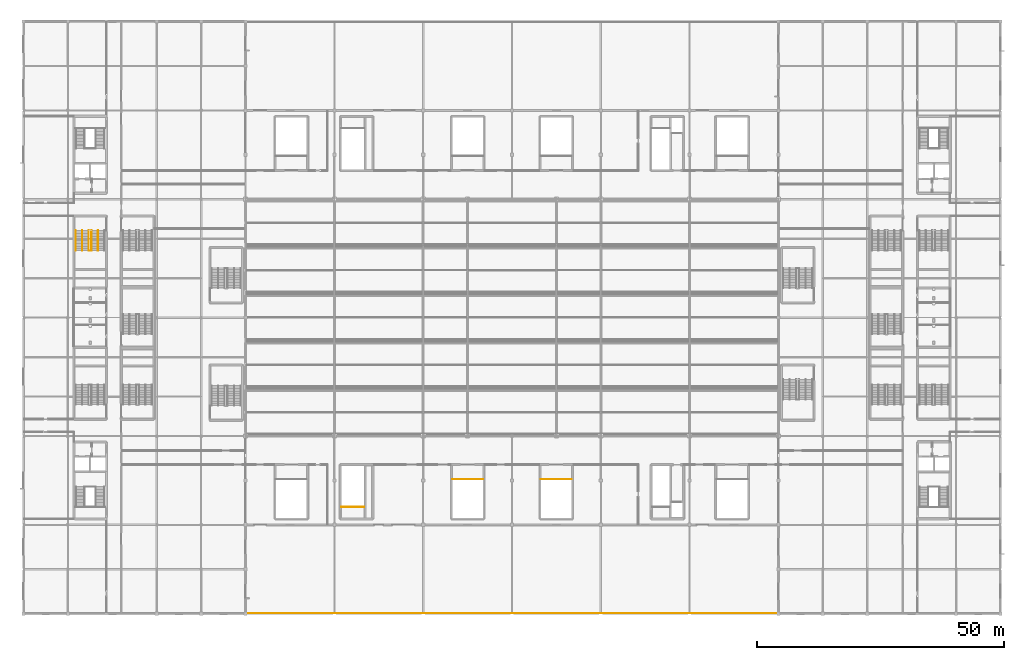
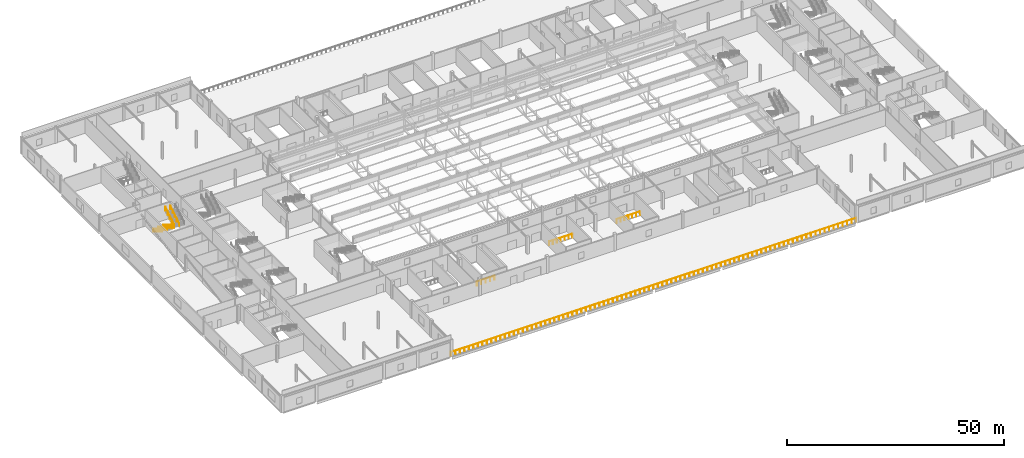
# One storey, part 128 of 136: 8 railings.
"""IFC4 building model written with IfcOpenShell, lengths in metres."""

from ifc_helpers import new_model, si_unit, direction, frame, origin, origin_2d, place, context, subcontext, project, spatial, circle, extrude, material, type_object, element, save


model = new_model("IFC4")

# Units and contexts
model_context = context("Model", 3, precision=1e-05, world=origin(), true_north=direction((0.0, 1.0)))
body_context = subcontext(model_context, "Body", "Model", "MODEL_VIEW")
ifc_project = project(units=[si_unit("LENGTHUNIT", "METRE"), si_unit("AREAUNIT", "SQUARE_METRE"), si_unit("VOLUMEUNIT", "CUBIC_METRE"), si_unit("PLANEANGLEUNIT", "RADIAN"), si_unit("MASSUNIT", "GRAM", prefix="KILO")], contexts=[model_context])

# Site, building, storey
site_placement = place(None, origin())
site = spatial("IfcSite", under=ifc_project, at=site_placement, CompositionType="ELEMENT")
building_placement = place(site_placement, origin())
building = spatial("IfcBuilding", under=site, at=building_placement, Name="Kisiwana Market Hall", CompositionType="ELEMENT")
storey_placement = place(building_placement, frame((0.0, 0.0, 16.800048828125)))
storey = spatial("IfcBuildingStorey", under=building, at=storey_placement, Name="L03", CompositionType="ELEMENT", Elevation=16.800048828125)

# Railings
ifc_material_1 = material(Name="Steel S275", Category="steel")
railing_type_1 = type_object("IfcRailingType", Name="RL-GUARD-1100", PredefinedType="GUARDRAIL", material=ifc_material_1)
railing_1_placement = place(storey_placement, frame((45.050048828125, 0.080078125, 0.0)))
element("IfcRailing", 1, at=railing_1_placement, inside=storey, type_object=railing_type_1, Name="L03 South Podium Roof Garden Guardrail 1100 RL-1696", PredefinedType="GUARDRAIL", context=body_context, shape_type="SweptSolid", body=[
    extrude(circle(Radius=0.02392578125, at=origin_2d()), frame((0.0, 0.0, 1.076171875), z_axis=(1.0, 0.0, 0.0), x_axis=(0.0, 1.0, 0.0)), (0.0, 0.0, 1.0), 107.89990234375),
    extrude(circle(Radius=0.02099609375, at=origin_2d()), origin(), (0.0, 0.0, 1.0), 1.052001953125),
    extrude(circle(Radius=0.02099609375, at=origin_2d()), frame((1.198974609375, 0.0, 0.0)), (0.0, 0.0, 1.0), 1.052001953125),
    extrude(circle(Radius=0.02099609375, at=origin_2d()), frame((2.397705078125, 0.0, 0.0)), (0.0, 0.0, 1.0), 1.052001953125),
    extrude(circle(Radius=0.02099609375, at=origin_2d()), frame((3.5966796875, 0.0, 0.0)), (0.0, 0.0, 1.0), 1.052001953125),
    extrude(circle(Radius=0.02099609375, at=origin_2d()), frame((4.795654296875, 0.0, 0.0)), (0.0, 0.0, 1.0), 1.052001953125),
    extrude(circle(Radius=0.02099609375, at=origin_2d()), frame((5.994384765625, 0.0, 0.0)), (0.0, 0.0, 1.0), 1.052001953125),
    extrude(circle(Radius=0.02099609375, at=origin_2d()), frame((7.193359375, 0.0, 0.0)), (0.0, 0.0, 1.0), 1.052001953125),
    extrude(circle(Radius=0.02099609375, at=origin_2d()), frame((8.392333984375, 0.0, 0.0)), (0.0, 0.0, 1.0), 1.052001953125),
    extrude(circle(Radius=0.02099609375, at=origin_2d()), frame((9.591064453125, 0.0, 0.0)), (0.0, 0.0, 1.0), 1.052001953125),
    extrude(circle(Radius=0.02099609375, at=origin_2d()), frame((10.7900390625, 0.0, 0.0)), (0.0, 0.0, 1.0), 1.052001953125),
    extrude(circle(Radius=0.02099609375, at=origin_2d()), frame((11.98876953125, 0.0, 0.0)), (0.0, 0.0, 1.0), 1.052001953125),
    extrude(circle(Radius=0.02099609375, at=origin_2d()), frame((13.187744140625, 0.0, 0.0)), (0.0, 0.0, 1.0), 1.052001953125),
    extrude(circle(Radius=0.02099609375, at=origin_2d()), frame((14.38671875, 0.0, 0.0)), (0.0, 0.0, 1.0), 1.052001953125),
    extrude(circle(Radius=0.02099609375, at=origin_2d()), frame((15.58544921875, 0.0, 0.0)), (0.0, 0.0, 1.0), 1.052001953125),
    extrude(circle(Radius=0.02099609375, at=origin_2d()), frame((16.784423828125, 0.0, 0.0)), (0.0, 0.0, 1.0), 1.052001953125),
    extrude(circle(Radius=0.02099609375, at=origin_2d()), frame((17.9833984375, 0.0, 0.0)), (0.0, 0.0, 1.0), 1.052001953125),
    extrude(circle(Radius=0.02099609375, at=origin_2d()), frame((19.18212890625, 0.0, 0.0)), (0.0, 0.0, 1.0), 1.052001953125),
    extrude(circle(Radius=0.02099609375, at=origin_2d()), frame((20.381103515625, 0.0, 0.0)), (0.0, 0.0, 1.0), 1.052001953125),
    extrude(circle(Radius=0.02099609375, at=origin_2d()), frame((21.580078125, 0.0, 0.0)), (0.0, 0.0, 1.0), 1.052001953125),
    extrude(circle(Radius=0.02099609375, at=origin_2d()), frame((22.77880859375, 0.0, 0.0)), (0.0, 0.0, 1.0), 1.052001953125),
    extrude(circle(Radius=0.02099609375, at=origin_2d()), frame((23.977783203125, 0.0, 0.0)), (0.0, 0.0, 1.0), 1.052001953125),
    extrude(circle(Radius=0.02099609375, at=origin_2d()), frame((25.1767578125, 0.0, 0.0)), (0.0, 0.0, 1.0), 1.052001953125),
    extrude(circle(Radius=0.02099609375, at=origin_2d()), frame((26.37548828125, 0.0, 0.0)), (0.0, 0.0, 1.0), 1.052001953125),
    extrude(circle(Radius=0.02099609375, at=origin_2d()), frame((27.574462890625, 0.0, 0.0)), (0.0, 0.0, 1.0), 1.052001953125),
    extrude(circle(Radius=0.02099609375, at=origin_2d()), frame((28.773193359375, 0.0, 0.0)), (0.0, 0.0, 1.0), 1.052001953125),
    extrude(circle(Radius=0.02099609375, at=origin_2d()), frame((29.97216796875, 0.0, 0.0)), (0.0, 0.0, 1.0), 1.052001953125),
    extrude(circle(Radius=0.02099609375, at=origin_2d()), frame((31.171142578125, 0.0, 0.0)), (0.0, 0.0, 1.0), 1.052001953125),
    extrude(circle(Radius=0.02099609375, at=origin_2d()), frame((32.369873046875, 0.0, 0.0)), (0.0, 0.0, 1.0), 1.052001953125),
    extrude(circle(Radius=0.02099609375, at=origin_2d()), frame((33.56884765625, 0.0, 0.0)), (0.0, 0.0, 1.0), 1.052001953125),
    extrude(circle(Radius=0.02099609375, at=origin_2d()), frame((34.767822265625, 0.0, 0.0)), (0.0, 0.0, 1.0), 1.052001953125),
    extrude(circle(Radius=0.02099609375, at=origin_2d()), frame((35.966552734375, 0.0, 0.0)), (0.0, 0.0, 1.0), 1.052001953125),
    extrude(circle(Radius=0.02099609375, at=origin_2d()), frame((37.16552734375, 0.0, 0.0)), (0.0, 0.0, 1.0), 1.052001953125),
    extrude(circle(Radius=0.02099609375, at=origin_2d()), frame((38.364501953125, 0.0, 0.0)), (0.0, 0.0, 1.0), 1.052001953125),
    extrude(circle(Radius=0.02099609375, at=origin_2d()), frame((39.563232421875, 0.0, 0.0)), (0.0, 0.0, 1.0), 1.052001953125),
    extrude(circle(Radius=0.02099609375, at=origin_2d()), frame((40.76220703125, 0.0, 0.0)), (0.0, 0.0, 1.0), 1.052001953125),
    extrude(circle(Radius=0.02099609375, at=origin_2d()), frame((41.961181640625, 0.0, 0.0)), (0.0, 0.0, 1.0), 1.052001953125),
    extrude(circle(Radius=0.02099609375, at=origin_2d()), frame((43.159912109375, 0.0, 0.0)), (0.0, 0.0, 1.0), 1.052001953125),
    extrude(circle(Radius=0.02099609375, at=origin_2d()), frame((44.35888671875, 0.0, 0.0)), (0.0, 0.0, 1.0), 1.052001953125),
    extrude(circle(Radius=0.02099609375, at=origin_2d()), frame((45.5576171875, 0.0, 0.0)), (0.0, 0.0, 1.0), 1.052001953125),
    extrude(circle(Radius=0.02099609375, at=origin_2d()), frame((46.756591796875, 0.0, 0.0)), (0.0, 0.0, 1.0), 1.052001953125),
    extrude(circle(Radius=0.02099609375, at=origin_2d()), frame((47.95556640625, 0.0, 0.0)), (0.0, 0.0, 1.0), 1.052001953125),
    extrude(circle(Radius=0.02099609375, at=origin_2d()), frame((49.154296875, 0.0, 0.0)), (0.0, 0.0, 1.0), 1.052001953125),
    extrude(circle(Radius=0.02099609375, at=origin_2d()), frame((50.353271484375, 0.0, 0.0)), (0.0, 0.0, 1.0), 1.052001953125),
    extrude(circle(Radius=0.02099609375, at=origin_2d()), frame((51.55224609375, 0.0, 0.0)), (0.0, 0.0, 1.0), 1.052001953125),
    extrude(circle(Radius=0.02099609375, at=origin_2d()), frame((52.7509765625, 0.0, 0.0)), (0.0, 0.0, 1.0), 1.052001953125),
    extrude(circle(Radius=0.02099609375, at=origin_2d()), frame((53.949951171875, 0.0, 0.0)), (0.0, 0.0, 1.0), 1.052001953125),
    extrude(circle(Radius=0.02099609375, at=origin_2d()), frame((55.14892578125, 0.0, 0.0)), (0.0, 0.0, 1.0), 1.052001953125),
    extrude(circle(Radius=0.02099609375, at=origin_2d()), frame((56.34765625, 0.0, 0.0)), (0.0, 0.0, 1.0), 1.052001953125),
    extrude(circle(Radius=0.02099609375, at=origin_2d()), frame((57.546630859375, 0.0, 0.0)), (0.0, 0.0, 1.0), 1.052001953125),
    extrude(circle(Radius=0.02099609375, at=origin_2d()), frame((58.74560546875, 0.0, 0.0)), (0.0, 0.0, 1.0), 1.052001953125),
    extrude(circle(Radius=0.02099609375, at=origin_2d()), frame((59.9443359375, 0.0, 0.0)), (0.0, 0.0, 1.0), 1.052001953125),
    extrude(circle(Radius=0.02099609375, at=origin_2d()), frame((61.143310546875, 0.0, 0.0)), (0.0, 0.0, 1.0), 1.052001953125),
    extrude(circle(Radius=0.02099609375, at=origin_2d()), frame((62.34228515625, 0.0, 0.0)), (0.0, 0.0, 1.0), 1.052001953125),
    extrude(circle(Radius=0.02099609375, at=origin_2d()), frame((63.541015625, 0.0, 0.0)), (0.0, 0.0, 1.0), 1.052001953125),
    extrude(circle(Radius=0.02099609375, at=origin_2d()), frame((64.739990234375, 0.0, 0.0)), (0.0, 0.0, 1.0), 1.052001953125),
    extrude(circle(Radius=0.02099609375, at=origin_2d()), frame((65.938720703125, 0.0, 0.0)), (0.0, 0.0, 1.0), 1.052001953125),
    extrude(circle(Radius=0.02099609375, at=origin_2d()), frame((67.1376953125, 0.0, 0.0)), (0.0, 0.0, 1.0), 1.052001953125),
    extrude(circle(Radius=0.02099609375, at=origin_2d()), frame((68.336669921875, 0.0, 0.0)), (0.0, 0.0, 1.0), 1.052001953125),
    extrude(circle(Radius=0.02099609375, at=origin_2d()), frame((69.535400390625, 0.0, 0.0)), (0.0, 0.0, 1.0), 1.052001953125),
    extrude(circle(Radius=0.02099609375, at=origin_2d()), frame((70.734375, 0.0, 0.0)), (0.0, 0.0, 1.0), 1.052001953125),
    extrude(circle(Radius=0.02099609375, at=origin_2d()), frame((71.933349609375, 0.0, 0.0)), (0.0, 0.0, 1.0), 1.052001953125),
    extrude(circle(Radius=0.02099609375, at=origin_2d()), frame((73.132080078125, 0.0, 0.0)), (0.0, 0.0, 1.0), 1.052001953125),
    extrude(circle(Radius=0.02099609375, at=origin_2d()), frame((74.3310546875, 0.0, 0.0)), (0.0, 0.0, 1.0), 1.052001953125),
    extrude(circle(Radius=0.02099609375, at=origin_2d()), frame((75.530029296875, 0.0, 0.0)), (0.0, 0.0, 1.0), 1.052001953125),
    extrude(circle(Radius=0.02099609375, at=origin_2d()), frame((76.728759765625, 0.0, 0.0)), (0.0, 0.0, 1.0), 1.052001953125),
    extrude(circle(Radius=0.02099609375, at=origin_2d()), frame((77.927734375, 0.0, 0.0)), (0.0, 0.0, 1.0), 1.052001953125),
    extrude(circle(Radius=0.02099609375, at=origin_2d()), frame((79.126708984375, 0.0, 0.0)), (0.0, 0.0, 1.0), 1.052001953125),
    extrude(circle(Radius=0.02099609375, at=origin_2d()), frame((80.325439453125, 0.0, 0.0)), (0.0, 0.0, 1.0), 1.052001953125),
    extrude(circle(Radius=0.02099609375, at=origin_2d()), frame((81.5244140625, 0.0, 0.0)), (0.0, 0.0, 1.0), 1.052001953125),
    extrude(circle(Radius=0.02099609375, at=origin_2d()), frame((82.72314453125, 0.0, 0.0)), (0.0, 0.0, 1.0), 1.052001953125),
    extrude(circle(Radius=0.02099609375, at=origin_2d()), frame((83.922119140625, 0.0, 0.0)), (0.0, 0.0, 1.0), 1.052001953125),
    extrude(circle(Radius=0.02099609375, at=origin_2d()), frame((85.12109375, 0.0, 0.0)), (0.0, 0.0, 1.0), 1.052001953125),
    extrude(circle(Radius=0.02099609375, at=origin_2d()), frame((86.31982421875, 0.0, 0.0)), (0.0, 0.0, 1.0), 1.052001953125),
    extrude(circle(Radius=0.02099609375, at=origin_2d()), frame((87.518798828125, 0.0, 0.0)), (0.0, 0.0, 1.0), 1.052001953125),
    extrude(circle(Radius=0.02099609375, at=origin_2d()), frame((88.7177734375, 0.0, 0.0)), (0.0, 0.0, 1.0), 1.052001953125),
    extrude(circle(Radius=0.02099609375, at=origin_2d()), frame((89.91650390625, 0.0, 0.0)), (0.0, 0.0, 1.0), 1.052001953125),
    extrude(circle(Radius=0.02099609375, at=origin_2d()), frame((91.115478515625, 0.0, 0.0)), (0.0, 0.0, 1.0), 1.052001953125),
    extrude(circle(Radius=0.02099609375, at=origin_2d()), frame((92.314453125, 0.0, 0.0)), (0.0, 0.0, 1.0), 1.052001953125),
    extrude(circle(Radius=0.02099609375, at=origin_2d()), frame((93.51318359375, 0.0, 0.0)), (0.0, 0.0, 1.0), 1.052001953125),
    extrude(circle(Radius=0.02099609375, at=origin_2d()), frame((94.712158203125, 0.0, 0.0)), (0.0, 0.0, 1.0), 1.052001953125),
    extrude(circle(Radius=0.02099609375, at=origin_2d()), frame((95.9111328125, 0.0, 0.0)), (0.0, 0.0, 1.0), 1.052001953125),
    extrude(circle(Radius=0.02099609375, at=origin_2d()), frame((97.10986328125, 0.0, 0.0)), (0.0, 0.0, 1.0), 1.052001953125),
    extrude(circle(Radius=0.02099609375, at=origin_2d()), frame((98.308837890625, 0.0, 0.0)), (0.0, 0.0, 1.0), 1.052001953125),
    extrude(circle(Radius=0.02099609375, at=origin_2d()), frame((99.507568359375, 0.0, 0.0)), (0.0, 0.0, 1.0), 1.052001953125),
    extrude(circle(Radius=0.02099609375, at=origin_2d()), frame((100.70654296875, 0.0, 0.0)), (0.0, 0.0, 1.0), 1.052001953125),
    extrude(circle(Radius=0.02099609375, at=origin_2d()), frame((101.905517578125, 0.0, 0.0)), (0.0, 0.0, 1.0), 1.052001953125),
    extrude(circle(Radius=0.02099609375, at=origin_2d()), frame((103.104248046875, 0.0, 0.0)), (0.0, 0.0, 1.0), 1.052001953125),
    extrude(circle(Radius=0.02099609375, at=origin_2d()), frame((104.30322265625, 0.0, 0.0)), (0.0, 0.0, 1.0), 1.052001953125),
    extrude(circle(Radius=0.02099609375, at=origin_2d()), frame((105.502197265625, 0.0, 0.0)), (0.0, 0.0, 1.0), 1.052001953125),
    extrude(circle(Radius=0.02099609375, at=origin_2d()), frame((106.700927734375, 0.0, 0.0)), (0.0, 0.0, 1.0), 1.052001953125),
    extrude(circle(Radius=0.02099609375, at=origin_2d()), frame((107.89990234375, 0.0, 0.0)), (0.0, 0.0, 1.0), 1.052001953125),
])
railing_2_placement = place(storey_placement, frame((64.39990234375, 21.610107421875, 0.0)))
element("IfcRailing", 2, at=railing_2_placement, inside=storey, type_object=railing_type_1, Name="Core S1 top stairwell guardrail (L03) (RL-655)", PredefinedType="GUARDRAIL", context=body_context, shape_type="SweptSolid", body=[
    extrude(circle(Radius=0.02392578125, at=origin_2d()), frame((0.0, 0.0, 1.076171875), z_axis=(1.0, 0.0, 0.0), x_axis=(0.0, 1.0, 0.0)), (0.0, 0.0, 1.0), 4.66015625),
    extrude(circle(Radius=0.02099609375, at=origin_2d()), origin(), (0.0, 0.0, 1.0), 1.052001953125),
    extrude(circle(Radius=0.02099609375, at=origin_2d()), frame((1.1650390625, 0.0, 0.0)), (0.0, 0.0, 1.0), 1.052001953125),
    extrude(circle(Radius=0.02099609375, at=origin_2d()), frame((2.330078125, 0.0, 0.0)), (0.0, 0.0, 1.0), 1.052001953125),
    extrude(circle(Radius=0.02099609375, at=origin_2d()), frame((3.4951171875, 0.0, 0.0)), (0.0, 0.0, 1.0), 1.052001953125),
    extrude(circle(Radius=0.02099609375, at=origin_2d()), frame((4.66015625, 0.0, 0.0)), (0.0, 0.0, 1.0), 1.052001953125),
])
railing_3_placement = place(storey_placement, frame((13.219970703125, 77.639892578125, 0.0)))
element("IfcRailing", 3, at=railing_3_placement, inside=storey, type_object=railing_type_1, Name="Stair ST-W4-L03 inner-well guardrail (RL-665)", PredefinedType="GUARDRAIL", context=body_context, shape_type="SweptSolid", body=[
    extrude(circle(Radius=0.02392578125, at=origin_2d()), frame((0.0, 0.0, 1.076171875), z_axis=(0.0, -0.860840976868, 0.508874063541), x_axis=(1.0, 0.0, 0.0)), (0.0, 0.0, 1.0), 4.716064453125),
    extrude(circle(Radius=0.02392578125, at=origin_2d()), frame((0.0, -4.059814453125, 3.47607421875), z_axis=(1.0, 0.0, 0.0), x_axis=(0.0, 1.0, 0.0)), (0.0, 0.0, 1.0), 0.56005859375),
    extrude(circle(Radius=0.02392578125, at=origin_2d()), frame((0.56005859375, -4.059814453125, 3.47607421875), z_axis=(0.0, 0.860818299379, 0.50891242415), x_axis=(-1.0, 0.0, 0.0)), (0.0, 0.0, 1.0), 4.71630859375),
    extrude(circle(Radius=0.02099609375, at=origin_2d()), origin(), (0.0, 0.0, 1.0), 1.052001953125),
    extrude(circle(Radius=0.02099609375, at=origin_2d()), frame((0.0, -1.014892578125, 0.60009765625)), (0.0, 0.0, 1.0), 1.052001953125),
    extrude(circle(Radius=0.02099609375, at=origin_2d()), frame((0.0, -2.02978515625, 1.199951171875)), (0.0, 0.0, 1.0), 1.052001953125),
    extrude(circle(Radius=0.02099609375, at=origin_2d()), frame((0.0, -3.044921875, 1.7998046875)), (0.0, 0.0, 1.0), 1.052001953125),
    extrude(circle(Radius=0.02099609375, at=origin_2d()), frame((0.0, -4.059814453125, 2.39990234375)), (0.0, 0.0, 1.0), 1.052001953125),
    extrude(circle(Radius=0.02099609375, at=origin_2d()), frame((0.56005859375, -4.059814453125, 2.39990234375)), (0.0, 0.0, 1.0), 1.052001953125),
    extrude(circle(Radius=0.02099609375, at=origin_2d()), frame((0.56005859375, -3.044921875, 3.0)), (0.0, 0.0, 1.0), 1.052001953125),
    extrude(circle(Radius=0.02099609375, at=origin_2d()), frame((0.56005859375, -2.02978515625, 3.60009765625)), (0.0, 0.0, 1.0), 1.052001953125),
    extrude(circle(Radius=0.02099609375, at=origin_2d()), frame((0.56005859375, -1.014892578125, 4.199951171875)), (0.0, 0.0, 1.0), 1.052001953125),
    extrude(circle(Radius=0.02099609375, at=origin_2d()), frame((0.56005859375, 0.0, 4.800048828125)), (0.0, 0.0, 1.0), 1.052001953125),
])
for number, where, name in (
    (4, (86.8798828125, 27.260009765625, 0.0), "Core S4 top stairwell guardrail (L03) (RL-745)"),
    (5, (104.8798828125, 27.260009765625, 0.0), "Core S5 top stairwell guardrail (L03) (RL-747)"),
):
    element("IfcRailing", number, at=place(storey_placement, frame(where)), inside=storey, type_object=railing_type_1, Name=name, PredefinedType="GUARDRAIL", context=body_context, shape_type="SweptSolid", body=[
        extrude(circle(Radius=0.02392578125, at=origin_2d()), frame((0.0, 0.0, 1.076171875), z_axis=(1.0, 0.0, 0.0), x_axis=(0.0, 1.0, 0.0)), (0.0, 0.0, 1.0), 6.240234375),
        extrude(circle(Radius=0.02099609375, at=origin_2d()), origin(), (0.0, 0.0, 1.0), 1.052001953125),
        extrude(circle(Radius=0.02099609375, at=origin_2d()), frame((1.0400390625, 0.0, 0.0)), (0.0, 0.0, 1.0), 1.052001953125),
        extrude(circle(Radius=0.02099609375, at=origin_2d()), frame((2.080078125, 0.0, 0.0)), (0.0, 0.0, 1.0), 1.052001953125),
        extrude(circle(Radius=0.02099609375, at=origin_2d()), frame((3.1201171875, 0.0, 0.0)), (0.0, 0.0, 1.0), 1.052001953125),
        extrude(circle(Radius=0.02099609375, at=origin_2d()), frame((4.16015625, 0.0, 0.0)), (0.0, 0.0, 1.0), 1.052001953125),
        extrude(circle(Radius=0.02099609375, at=origin_2d()), frame((5.2001953125, 0.0, 0.0)), (0.0, 0.0, 1.0), 1.052001953125),
        extrude(circle(Radius=0.02099609375, at=origin_2d()), frame((6.240234375, 0.0, 0.0)), (0.0, 0.0, 1.0), 1.052001953125),
    ])
ifc_material_2 = material(Name="Steel S275", Category="steel")
railing_type_2 = type_object("IfcRailingType", Name="RL-HAND-900", PredefinedType="HANDRAIL", material=ifc_material_2)
for number, where, name in (
    (6, (10.570068359375, 77.639892578125, 0.0), "Stair ST-W4-L03 flight 1 handrail (RL-666)"),
    (7, (11.889892578125, 77.639892578125, 0.0), "Stair ST-W4-L03 flight 1 intermediate handrail (RL-668)"),
):
    element("IfcRailing", number, at=place(storey_placement, frame(where)), inside=storey, type_object=railing_type_2, Name=name, PredefinedType="HANDRAIL", context=body_context, shape_type="SweptSolid", body=[
        extrude(circle(Radius=0.02392578125, at=origin_2d()), frame((0.0, 0.0, 0.8759765625), z_axis=(0.0, -0.860840976868, 0.508874063541), x_axis=(1.0, 0.0, 0.0)), (0.0, 0.0, 1.0), 4.716064453125),
        extrude(circle(Radius=0.02099609375, at=origin_2d()), origin(), (0.0, 0.0, 1.0), 0.851806640625),
        extrude(circle(Radius=0.02099609375, at=origin_2d()), frame((0.0, -1.014892578125, 0.60009765625)), (0.0, 0.0, 1.0), 0.851806640625),
        extrude(circle(Radius=0.02099609375, at=origin_2d()), frame((0.0, -2.02978515625, 1.199951171875)), (0.0, 0.0, 1.0), 0.851806640625),
        extrude(circle(Radius=0.02099609375, at=origin_2d()), frame((0.0, -3.044921875, 1.7998046875)), (0.0, 0.0, 1.0), 0.851806640625),
        extrude(circle(Radius=0.02099609375, at=origin_2d()), frame((0.0, -4.059814453125, 2.39990234375)), (0.0, 0.0, 1.0), 0.851806640625),
    ])
railing_4_placement = place(storey_placement, frame((15.110107421875, 73.580078125, 2.39990234375)))
element("IfcRailing", 8, at=railing_4_placement, inside=storey, type_object=railing_type_2, Name="Stair ST-W4-L03 flight 2 intermediate handrail (RL-669)", PredefinedType="HANDRAIL", context=body_context, shape_type="SweptSolid", body=[
    extrude(circle(Radius=0.02392578125, at=origin_2d()), frame((0.0, 0.0, 0.8759765625), z_axis=(0.0, 0.860818299379, 0.50891242415), x_axis=(-1.0, 0.0, 0.0)), (0.0, 0.0, 1.0), 4.71630859375),
    extrude(circle(Radius=0.02099609375, at=origin_2d()), origin(), (0.0, 0.0, 1.0), 0.851806640625),
    extrude(circle(Radius=0.02099609375, at=origin_2d()), frame((0.0, 1.014892578125, 0.60009765625)), (0.0, 0.0, 1.0), 0.851806640625),
    extrude(circle(Radius=0.02099609375, at=origin_2d()), frame((0.0, 2.02978515625, 1.2001953125)), (0.0, 0.0, 1.0), 0.851806640625),
    extrude(circle(Radius=0.02099609375, at=origin_2d()), frame((0.0, 3.044921875, 1.800048828125)), (0.0, 0.0, 1.0), 0.851806640625),
    extrude(circle(Radius=0.02099609375, at=origin_2d()), frame((0.0, 4.059814453125, 2.400146484375)), (0.0, 0.0, 1.0), 0.851806640625),
])

save(model, "model.ifc")
